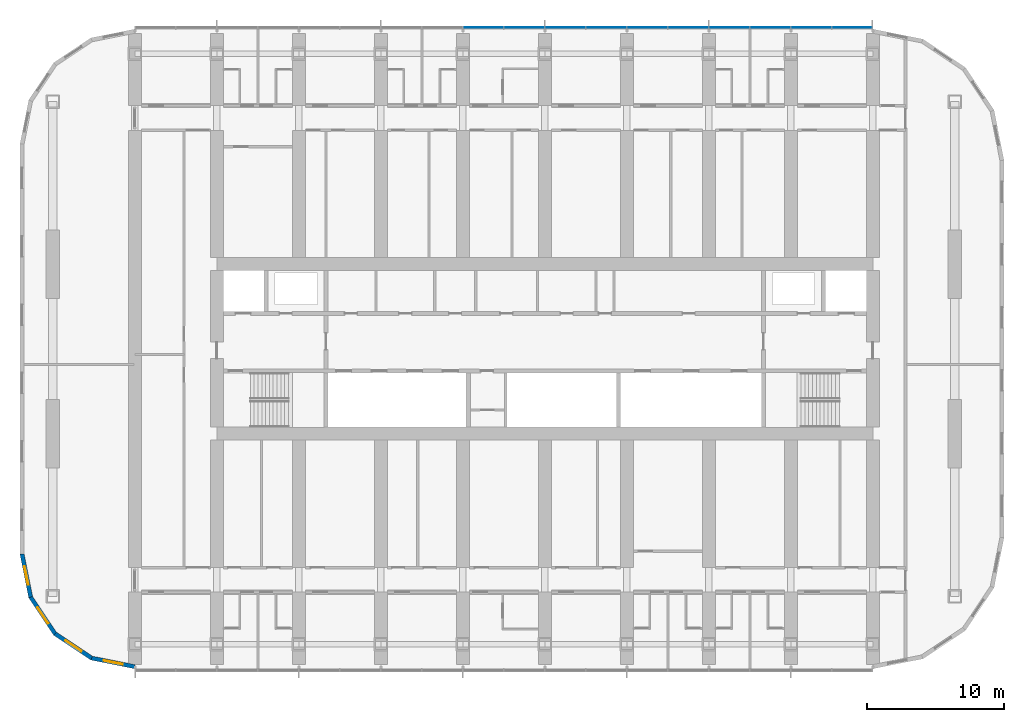
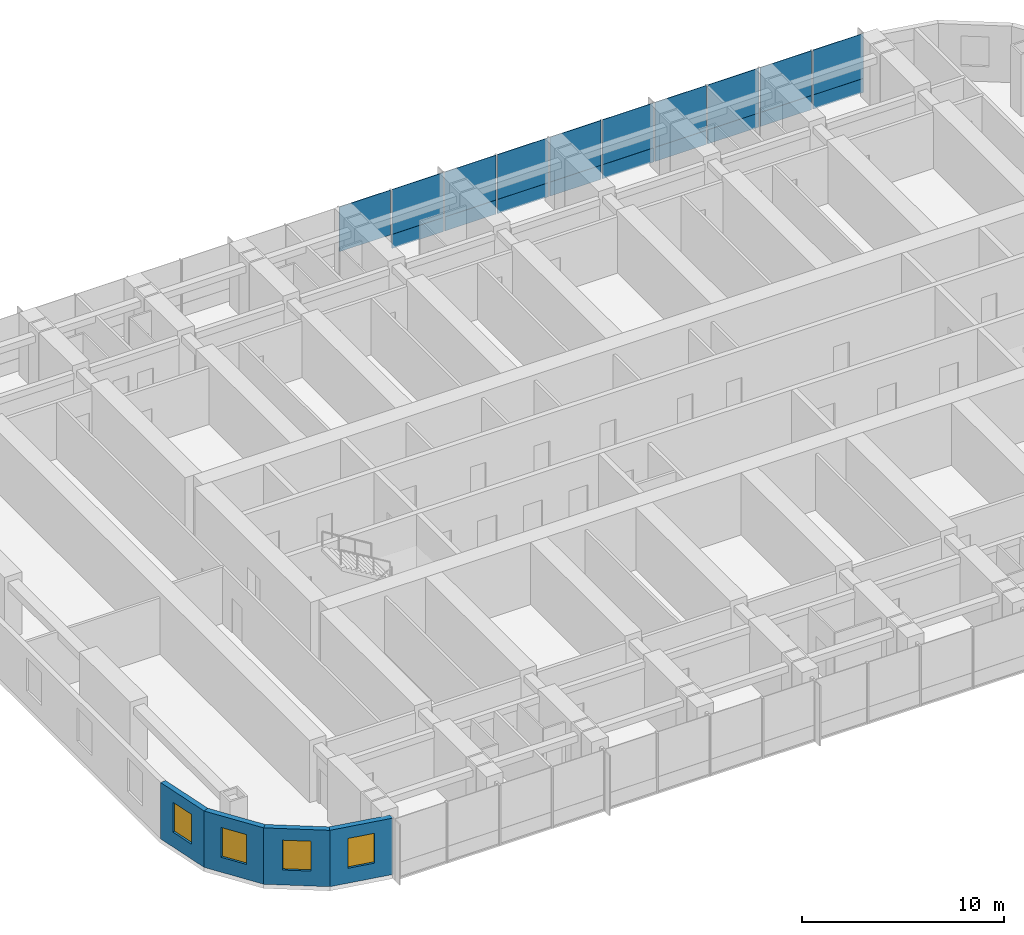
# One storey, part 7 of 20: 19 plates, 4 walls, 4 windows, 4 openings, 1 element without a shape of its own.
"""IFC4 building model written with IfcOpenShell, lengths in metres."""

from ifc_helpers import new_model, si_unit, direction, frame, frame_2d, origin, origin_2d, place, context, subcontext, project, spatial, polyline, rectangle, outline, extrude, material, layer, layer_set, type_object, element, fill, aggregate, save


model = new_model("IFC4")

# Units and contexts
model_context = context("Model", 3, precision=1e-05, world=origin(), true_north=direction((0.0, 1.0)))
body_context = subcontext(model_context, "Body", "Model", "MODEL_VIEW")
ifc_project = project(units=[si_unit("LENGTHUNIT", "METRE"), si_unit("AREAUNIT", "SQUARE_METRE"), si_unit("VOLUMEUNIT", "CUBIC_METRE"), si_unit("PLANEANGLEUNIT", "RADIAN"), si_unit("MASSUNIT", "GRAM", prefix="KILO")], contexts=[model_context])

# Site, building, storey
site_placement = place(None, origin())
site = spatial("IfcSite", under=ifc_project, at=site_placement, CompositionType="ELEMENT")
building_placement = place(site_placement, origin())
building = spatial("IfcBuilding", under=site, at=building_placement, Name="Orbita Commons", CompositionType="ELEMENT")
storey_placement = place(building_placement, frame((0.0, 0.0, 129.39990234375)))
storey = spatial("IfcBuildingStorey", under=building, at=storey_placement, Name="L32", CompositionType="ELEMENT", Elevation=129.39990234375)

# Curtain wall, plates
ifc_material_1 = material(Name="Anodised aluminium frame, pale silver", Category="aluminium")
curtain_wall_type = type_object("IfcCurtainWallType", Name="Unitised curtain wall CW-T, vision and spandrel", PredefinedType="NOTDEFINED", material=ifc_material_1)
curtain_wall_placement = place(storey_placement, origin())
curtain_wall = element("IfcCurtainWall", 1, at=curtain_wall_placement, inside=storey, type_object=curtain_wall_type, Name="Curtain wall north L32", PredefinedType="NOTDEFINED")
ifc_material_2 = material(Name="Anodised aluminium sheet on mineral wool", Category="aluminium")
ifc_layer_1 = layer(ifc_material_2, 0.050048828125)
ifc_layer_set_1 = layer_set([ifc_layer_1], Name="Anodised aluminium sheet on mineral wool")
plate_type_1 = type_object("IfcPlateType", Name="Spandrel panel, pale aluminium over insulation 50", PredefinedType="CURTAIN_PANEL", material=ifc_layer_set_1)
plate_1_placement = place(storey_placement, frame((64.47998046875, 55.510009765625, -0.14990234375), z_axis=(0.0, 0.0, 1.0), x_axis=(-1.0, 0.0, 0.0)))
plate_1 = element("IfcPlate", 2, at=plate_1_placement, type_object=plate_type_1, Name="Panel 1.1 CW-L32-N", PredefinedType="CURTAIN_PANEL", context=body_context, shape_type="SweptSolid", body=[
    extrude(rectangle(XDim=2.8798828125, YDim=0.050048828125, at=origin_2d()), origin(), (0.0, 0.0, 1.0), 0.84912109375),
])
plate_2_placement = place(storey_placement, frame((61.5, 55.510009765625, -0.14990234375), z_axis=(0.0, 0.0, 1.0), x_axis=(-1.0, 0.0, 0.0)))
plate_2 = element("IfcPlate", 3, at=plate_2_placement, type_object=plate_type_1, Name="Panel 2.1 CW-L32-N", PredefinedType="CURTAIN_PANEL", context=body_context, shape_type="SweptSolid", body=[
    extrude(rectangle(XDim=2.919921875, YDim=0.050048828125, at=origin_2d()), origin(), (0.0, 0.0, 1.0), 0.84912109375),
])
plate_3_placement = place(storey_placement, frame((58.5, 55.510009765625, -0.14990234375), z_axis=(0.0, 0.0, 1.0), x_axis=(-1.0, 0.0, 0.0)))
plate_3 = element("IfcPlate", 4, at=plate_3_placement, type_object=plate_type_1, Name="Panel 3.1 CW-L32-N", PredefinedType="CURTAIN_PANEL", context=body_context, shape_type="SweptSolid", body=[
    extrude(rectangle(XDim=2.919921875, YDim=0.050048828125, at=origin_2d()), origin(), (0.0, 0.0, 1.0), 0.84912109375),
])
plate_4_placement = place(storey_placement, frame((55.5, 55.510009765625, -0.14990234375), z_axis=(0.0, 0.0, 1.0), x_axis=(-1.0, 0.0, 0.0)))
plate_4 = element("IfcPlate", 5, at=plate_4_placement, type_object=plate_type_1, Name="Panel 4.1 CW-L32-N", PredefinedType="CURTAIN_PANEL", context=body_context, shape_type="SweptSolid", body=[
    extrude(rectangle(XDim=2.919921875, YDim=0.050048828125, at=origin_2d()), origin(), (0.0, 0.0, 1.0), 0.84912109375),
])
plate_5_placement = place(storey_placement, frame((52.5, 55.510009765625, -0.14990234375), z_axis=(0.0, 0.0, 1.0), x_axis=(-1.0, 0.0, 0.0)))
plate_5 = element("IfcPlate", 6, at=plate_5_placement, type_object=plate_type_1, Name="Panel 5.1 CW-L32-N", PredefinedType="CURTAIN_PANEL", context=body_context, shape_type="SweptSolid", body=[
    extrude(rectangle(XDim=2.919921875, YDim=0.050048828125, at=origin_2d()), origin(), (0.0, 0.0, 1.0), 0.84912109375),
])
plate_6_placement = place(storey_placement, frame((49.5, 55.510009765625, -0.14990234375), z_axis=(0.0, 0.0, 1.0), x_axis=(-1.0, 0.0, 0.0)))
plate_6 = element("IfcPlate", 7, at=plate_6_placement, type_object=plate_type_1, Name="Panel 6.1 CW-L32-N", PredefinedType="CURTAIN_PANEL", context=body_context, shape_type="SweptSolid", body=[
    extrude(rectangle(XDim=2.919921875, YDim=0.050048828125, at=origin_2d()), origin(), (0.0, 0.0, 1.0), 0.84912109375),
])
plate_7_placement = place(storey_placement, frame((46.5, 55.510009765625, -0.14990234375), z_axis=(0.0, 0.0, 1.0), x_axis=(-1.0, 0.0, 0.0)))
plate_7 = element("IfcPlate", 8, at=plate_7_placement, type_object=plate_type_1, Name="Panel 7.1 CW-L32-N", PredefinedType="CURTAIN_PANEL", context=body_context, shape_type="SweptSolid", body=[
    extrude(rectangle(XDim=2.919921875, YDim=0.050048828125, at=origin_2d()), origin(), (0.0, 0.0, 1.0), 0.84912109375),
])
plate_8_placement = place(storey_placement, frame((43.5, 55.510009765625, -0.14990234375), z_axis=(0.0, 0.0, 1.0), x_axis=(-1.0, 0.0, 0.0)))
plate_8 = element("IfcPlate", 9, at=plate_8_placement, type_object=plate_type_1, Name="Panel 8.1 CW-L32-N", PredefinedType="CURTAIN_PANEL", context=body_context, shape_type="SweptSolid", body=[
    extrude(rectangle(XDim=2.919921875, YDim=0.050048828125, at=origin_2d()), origin(), (0.0, 0.0, 1.0), 0.84912109375),
])
plate_9_placement = place(storey_placement, frame((40.5, 55.510009765625, -0.14990234375), z_axis=(0.0, 0.0, 1.0), x_axis=(-1.0, 0.0, 0.0)))
plate_9 = element("IfcPlate", 10, at=plate_9_placement, type_object=plate_type_1, Name="Panel 9.1 CW-L32-N", PredefinedType="CURTAIN_PANEL", context=body_context, shape_type="SweptSolid", body=[
    extrude(rectangle(XDim=2.919921875, YDim=0.050048828125, at=origin_2d()), origin(), (0.0, 0.0, 1.0), 0.84912109375),
])
ifc_material_3 = material(Name="Clear double glazing", Category="glass")
ifc_layer_2 = layer(ifc_material_3, 0.031982421875)
ifc_layer_set_2 = layer_set([ifc_layer_2], Name="Clear double glazing")
plate_type_2 = type_object("IfcPlateType", Name="Vision panel, clear double glazing 32", PredefinedType="CURTAIN_PANEL", material=ifc_layer_set_2)
plate_10_placement = place(storey_placement, frame((64.47998046875, 55.510009765625, 0.69921875), z_axis=(0.0, 0.0, 1.0), x_axis=(-1.0, 0.0, 0.0)))
plate_10 = element("IfcPlate", 11, at=plate_10_placement, type_object=plate_type_2, Name="Panel 1.2 CW-L32-N", PredefinedType="CURTAIN_PANEL", context=body_context, shape_type="SweptSolid", body=[
    extrude(rectangle(XDim=2.8798828125, YDim=0.031982421875, at=origin_2d()), origin(), (0.0, 0.0, 1.0), 2.700927734375),
])
plate_11_placement = place(storey_placement, frame((61.5, 55.510009765625, 0.69921875), z_axis=(0.0, 0.0, 1.0), x_axis=(-1.0, 0.0, 0.0)))
plate_11 = element("IfcPlate", 12, at=plate_11_placement, type_object=plate_type_2, Name="Panel 2.2 CW-L32-N", PredefinedType="CURTAIN_PANEL", context=body_context, shape_type="SweptSolid", body=[
    extrude(rectangle(XDim=2.919921875, YDim=0.031982421875, at=origin_2d()), origin(), (0.0, 0.0, 1.0), 2.700927734375),
])
plate_12_placement = place(storey_placement, frame((58.5, 55.510009765625, 0.69921875), z_axis=(0.0, 0.0, 1.0), x_axis=(-1.0, 0.0, 0.0)))
plate_12 = element("IfcPlate", 13, at=plate_12_placement, type_object=plate_type_2, Name="Panel 3.2 CW-L32-N", PredefinedType="CURTAIN_PANEL", context=body_context, shape_type="SweptSolid", body=[
    extrude(rectangle(XDim=2.919921875, YDim=0.031982421875, at=origin_2d()), origin(), (0.0, 0.0, 1.0), 2.700927734375),
])
plate_13_placement = place(storey_placement, frame((55.5, 55.510009765625, 0.69921875), z_axis=(0.0, 0.0, 1.0), x_axis=(-1.0, 0.0, 0.0)))
plate_13 = element("IfcPlate", 14, at=plate_13_placement, type_object=plate_type_2, Name="Panel 4.2 CW-L32-N", PredefinedType="CURTAIN_PANEL", context=body_context, shape_type="SweptSolid", body=[
    extrude(rectangle(XDim=2.919921875, YDim=0.031982421875, at=origin_2d()), origin(), (0.0, 0.0, 1.0), 2.700927734375),
])
plate_14_placement = place(storey_placement, frame((52.5, 55.510009765625, 0.69921875), z_axis=(0.0, 0.0, 1.0), x_axis=(-1.0, 0.0, 0.0)))
plate_14 = element("IfcPlate", 15, at=plate_14_placement, type_object=plate_type_2, Name="Panel 5.2 CW-L32-N", PredefinedType="CURTAIN_PANEL", context=body_context, shape_type="SweptSolid", body=[
    extrude(rectangle(XDim=2.919921875, YDim=0.031982421875, at=origin_2d()), origin(), (0.0, 0.0, 1.0), 2.700927734375),
])
plate_15_placement = place(storey_placement, frame((49.5, 55.510009765625, 0.69921875), z_axis=(0.0, 0.0, 1.0), x_axis=(-1.0, 0.0, 0.0)))
plate_15 = element("IfcPlate", 16, at=plate_15_placement, type_object=plate_type_2, Name="Panel 6.2 CW-L32-N", PredefinedType="CURTAIN_PANEL", context=body_context, shape_type="SweptSolid", body=[
    extrude(rectangle(XDim=2.919921875, YDim=0.031982421875, at=origin_2d()), origin(), (0.0, 0.0, 1.0), 2.700927734375),
])
plate_16_placement = place(storey_placement, frame((46.5, 55.510009765625, 0.69921875), z_axis=(0.0, 0.0, 1.0), x_axis=(-1.0, 0.0, 0.0)))
plate_16 = element("IfcPlate", 17, at=plate_16_placement, type_object=plate_type_2, Name="Panel 7.2 CW-L32-N", PredefinedType="CURTAIN_PANEL", context=body_context, shape_type="SweptSolid", body=[
    extrude(rectangle(XDim=2.919921875, YDim=0.031982421875, at=origin_2d()), origin(), (0.0, 0.0, 1.0), 2.700927734375),
])
plate_17_placement = place(storey_placement, frame((43.5, 55.510009765625, 0.69921875), z_axis=(0.0, 0.0, 1.0), x_axis=(-1.0, 0.0, 0.0)))
plate_17 = element("IfcPlate", 18, at=plate_17_placement, type_object=plate_type_2, Name="Panel 8.2 CW-L32-N", PredefinedType="CURTAIN_PANEL", context=body_context, shape_type="SweptSolid", body=[
    extrude(rectangle(XDim=2.919921875, YDim=0.031982421875, at=origin_2d()), origin(), (0.0, 0.0, 1.0), 2.700927734375),
])
plate_18_placement = place(storey_placement, frame((40.5, 55.510009765625, 0.69921875), z_axis=(0.0, 0.0, 1.0), x_axis=(-1.0, 0.0, 0.0)))
plate_18 = element("IfcPlate", 19, at=plate_18_placement, type_object=plate_type_2, Name="Panel 9.2 CW-L32-N", PredefinedType="CURTAIN_PANEL", context=body_context, shape_type="SweptSolid", body=[
    extrude(rectangle(XDim=2.919921875, YDim=0.031982421875, at=origin_2d()), origin(), (0.0, 0.0, 1.0), 2.700927734375),
])
plate_19_placement = place(storey_placement, frame((37.5, 55.510009765625, 0.69921875), z_axis=(0.0, 0.0, 1.0), x_axis=(-1.0, 0.0, 0.0)))
plate_19 = element("IfcPlate", 20, at=plate_19_placement, type_object=plate_type_2, Name="Panel 10.2 CW-L32-N", PredefinedType="CURTAIN_PANEL", context=body_context, shape_type="SweptSolid", body=[
    extrude(rectangle(XDim=2.919921875, YDim=0.031982421875, at=origin_2d()), origin(), (0.0, 0.0, 1.0), 2.700927734375),
])
aggregate(curtain_wall, [plate_1, plate_10, plate_2, plate_11, plate_3, plate_12, plate_4, plate_13, plate_5, plate_14, plate_6, plate_15, plate_7, plate_16, plate_8, plate_17, plate_9, plate_18, plate_19])

# Wall, opening, window
ifc_material_4 = material(Name="Precast concrete C40/50, white board-marked finish", Category="concrete")
ifc_layer_3 = layer(ifc_material_4, 0.300048828125)
ifc_layer_set_3 = layer_set([ifc_layer_3], Name="Precast concrete C40/50, white board-marked finish")
wall_type = type_object("IfcWallType", Name="Precast concrete end shield 300", PredefinedType="SOLIDWALL", material=ifc_layer_set_3)
wall_1_placement = place(storey_placement, frame((3.75, 17.0, 0.0), z_axis=(0.0, 0.0, 1.0), x_axis=(0.195080412259, -0.980787251524, 0.0)))
wall_1 = element("IfcWall", 21, at=wall_1_placement, inside=storey, type_object=wall_type, Name="End shield SW chord 1 L32", PredefinedType="SOLIDWALL", context=body_context, shape_type="SweptSolid", body=[
    extrude(outline(polyline([(-0.014892578125, -0.14990234375), (3.24853515625, -0.14990234375), (3.18896484375, 0.14990234375), (0.014892578125, 0.14990234375), (-0.014892578125, -0.14990234375)])), origin(), (0.0, 0.0, 1.0), 3.400146484375),
])
opening_1_placement = place(wall_1_placement, frame((0.909423828125, 0.0, 0.89990234375)))
opening_1 = element("IfcOpeningElement", 22, at=opening_1_placement, cuts=wall_1, Name="Opening W02", PredefinedType="OPENING", context=body_context, shape_type="SweptSolid", body=[
    extrude(rectangle(XDim=1.39990234375, YDim=1.800048828125, at=frame_2d((0.699951171875, 0.89990234375))), frame((0.0, 0.159912109375, 0.0), z_axis=(0.0, -1.0, 0.0), x_axis=(1.0, 0.0, 0.0)), (0.0, 0.0, 1.0), 0.320068359375),
])
ifc_material_5 = material(Name="Aluminium frame, clear double glazing", Category="aluminium")
window_type = type_object("IfcWindowType", Name="Deep-set window 1400x1800", PartitioningType="SINGLE_PANEL", PredefinedType="WINDOW", material=ifc_material_5)
window_1_placement = place(opening_1_placement, origin())
window_1 = element("IfcWindow", 23, at=window_1_placement, inside=storey, type_object=window_type, Name="Window L32-SW0", OverallHeight=1.800048828125, OverallWidth=1.39990234375, PartitioningType="SINGLE_PANEL", PredefinedType="WINDOW", context=body_context, shape_type="SweptSolid", body=[
    extrude(rectangle(XDim=1.39990234375, YDim=1.800048828125, at=frame_2d((0.699951171875, 0.89990234375))), frame((0.0, 0.030029296875, 0.0), z_axis=(0.0, -1.0, 0.0), x_axis=(1.0, 0.0, 0.0)), (0.0, 0.0, 1.0), 0.06005859375),
])
fill(opening_1, window_1)

wall_2_placement = place(storey_placement, frame((4.3779296875, 13.843017578125, 0.0), z_axis=(0.0, 0.0, 1.0), x_axis=(0.555609954424, -0.831443069936, 0.0)))
wall_2 = element("IfcWall", 24, at=wall_2_placement, inside=storey, type_object=wall_type, Name="End shield SW chord 2 L32", PredefinedType="SOLIDWALL", context=body_context, shape_type="SweptSolid", body=[
    extrude(outline(polyline([(-0.02978515625, -0.14990234375), (3.2490234375, -0.14990234375), (3.189453125, 0.14990234375), (0.02978515625, 0.14990234375), (-0.02978515625, -0.14990234375)])), origin(), (0.0, 0.0, 1.0), 3.400146484375),
])
opening_2_placement = place(wall_2_placement, frame((0.909423828125, 0.0, 0.89990234375)))
opening_2 = element("IfcOpeningElement", 25, at=opening_2_placement, cuts=wall_2, Name="Opening W02", PredefinedType="OPENING", context=body_context, shape_type="SweptSolid", body=[
    extrude(rectangle(XDim=1.39990234375, YDim=1.800048828125, at=frame_2d((0.699951171875, 0.89990234375))), frame((0.0, 0.159912109375, 0.0), z_axis=(0.0, -1.0, 0.0), x_axis=(1.0, 0.0, 0.0)), (0.0, 0.0, 1.0), 0.320068359375),
])
window_2_placement = place(opening_2_placement, origin())
window_2 = element("IfcWindow", 26, at=window_2_placement, inside=storey, type_object=window_type, Name="Window L32-SW1", OverallHeight=1.800048828125, OverallWidth=1.39990234375, PartitioningType="SINGLE_PANEL", PredefinedType="WINDOW", context=body_context, shape_type="SweptSolid", body=[
    extrude(rectangle(XDim=1.39990234375, YDim=1.800048828125, at=frame_2d((0.699951171875, 0.89990234375))), frame((0.0, 0.030029296875, 0.0), z_axis=(0.0, -1.0, 0.0), x_axis=(1.0, 0.0, 0.0)), (0.0, 0.0, 1.0), 0.06005859375),
])
fill(opening_2, window_2)

wall_3_placement = place(storey_placement, frame((6.16650390625, 11.16650390625, 0.0), z_axis=(0.0, 0.0, 1.0), x_axis=(0.831443069936, -0.555609954424, 0.0)))
wall_3 = element("IfcWall", 27, at=wall_3_placement, inside=storey, type_object=wall_type, Name="End shield SW chord 3 L32", PredefinedType="SOLIDWALL", context=body_context, shape_type="SweptSolid", body=[
    extrude(outline(polyline([(-0.02978515625, -0.14990234375), (3.2490234375, -0.14990234375), (3.189453125, 0.14990234375), (0.02978515625, 0.14990234375), (-0.02978515625, -0.14990234375)])), origin(), (0.0, 0.0, 1.0), 3.400146484375),
])
opening_3_placement = place(wall_3_placement, frame((0.909423828125, 0.0, 0.89990234375)))
opening_3 = element("IfcOpeningElement", 28, at=opening_3_placement, cuts=wall_3, Name="Opening W02", PredefinedType="OPENING", context=body_context, shape_type="SweptSolid", body=[
    extrude(rectangle(XDim=1.39990234375, YDim=1.800048828125, at=frame_2d((0.699951171875, 0.89990234375))), frame((0.0, 0.159912109375, 0.0), z_axis=(0.0, -1.0, 0.0), x_axis=(1.0, 0.0, 0.0)), (0.0, 0.0, 1.0), 0.320068359375),
])
window_3_placement = place(opening_3_placement, origin())
window_3 = element("IfcWindow", 29, at=window_3_placement, inside=storey, type_object=window_type, Name="Window L32-SW2", OverallHeight=1.800048828125, OverallWidth=1.39990234375, PartitioningType="SINGLE_PANEL", PredefinedType="WINDOW", context=body_context, shape_type="SweptSolid", body=[
    extrude(rectangle(XDim=1.39990234375, YDim=1.800048828125, at=frame_2d((0.699951171875, 0.89990234375))), frame((0.0, 0.030029296875, 0.0), z_axis=(0.0, -1.0, 0.0), x_axis=(1.0, 0.0, 0.0)), (0.0, 0.0, 1.0), 0.06005859375),
])
fill(opening_3, window_3)

wall_4_placement = place(storey_placement, frame((8.843017578125, 9.3779296875, 0.0), z_axis=(0.0, 0.0, 1.0), x_axis=(0.980787251524, -0.195080412259, 0.0)))
wall_4 = element("IfcWall", 30, at=wall_4_placement, inside=storey, type_object=wall_type, Name="End shield SW chord 4 L32", PredefinedType="SOLIDWALL", context=body_context, shape_type="SweptSolid", body=[
    extrude(outline(polyline([(-0.02978515625, -0.14990234375), (3.24853515625, -0.14990234375), (3.18896484375, 0.14990234375), (0.02978515625, 0.14990234375), (-0.02978515625, -0.14990234375)])), origin(), (0.0, 0.0, 1.0), 3.400146484375),
])
opening_4_placement = place(wall_4_placement, frame((0.909423828125, 0.0, 0.89990234375)))
opening_4 = element("IfcOpeningElement", 31, at=opening_4_placement, cuts=wall_4, Name="Opening W02", PredefinedType="OPENING", context=body_context, shape_type="SweptSolid", body=[
    extrude(rectangle(XDim=1.39990234375, YDim=1.800048828125, at=frame_2d((0.699951171875, 0.89990234375))), frame((0.0, 0.159912109375, 0.0), z_axis=(0.0, -1.0, 0.0), x_axis=(1.0, 0.0, 0.0)), (0.0, 0.0, 1.0), 0.320068359375),
])
window_4_placement = place(opening_4_placement, origin())
window_4 = element("IfcWindow", 32, at=window_4_placement, inside=storey, type_object=window_type, Name="Window L32-SW3", OverallHeight=1.800048828125, OverallWidth=1.39990234375, PartitioningType="SINGLE_PANEL", PredefinedType="WINDOW", context=body_context, shape_type="SweptSolid", body=[
    extrude(rectangle(XDim=1.39990234375, YDim=1.800048828125, at=frame_2d((0.699951171875, 0.89990234375))), frame((0.0, 0.030029296875, 0.0), z_axis=(0.0, -1.0, 0.0), x_axis=(1.0, 0.0, 0.0)), (0.0, 0.0, 1.0), 0.06005859375),
])
fill(opening_4, window_4)

save(model, "model.ifc")
